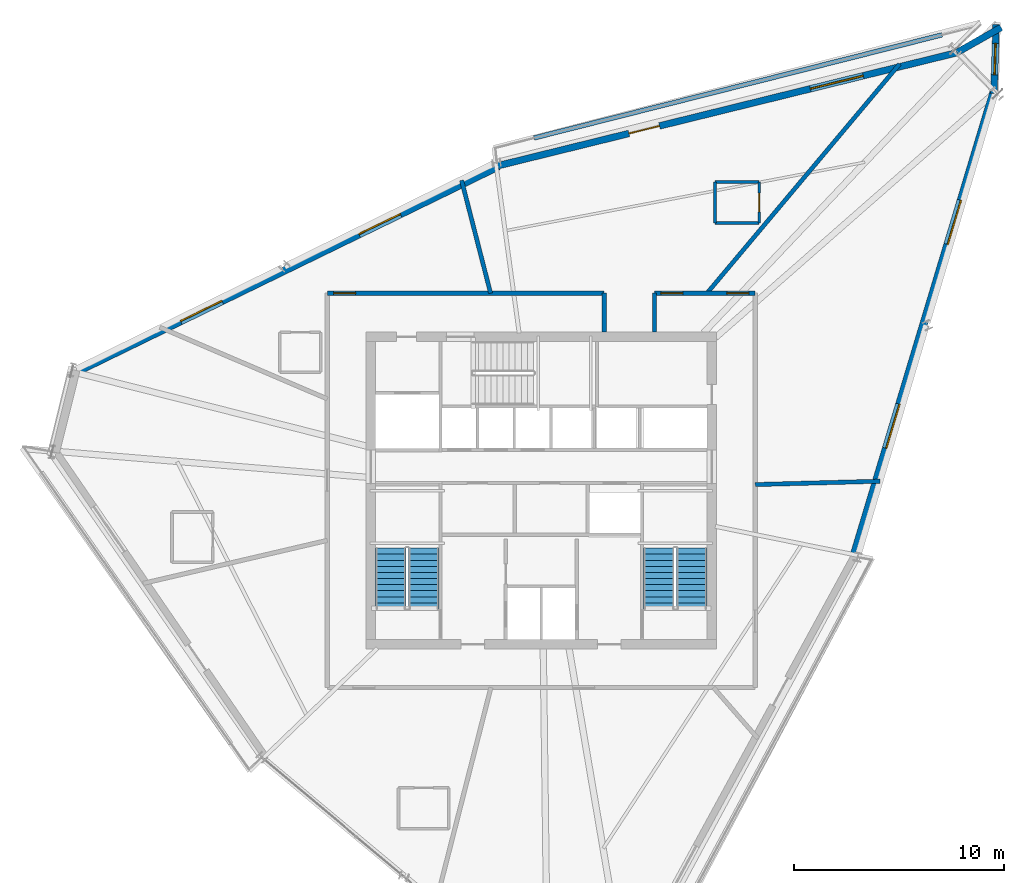
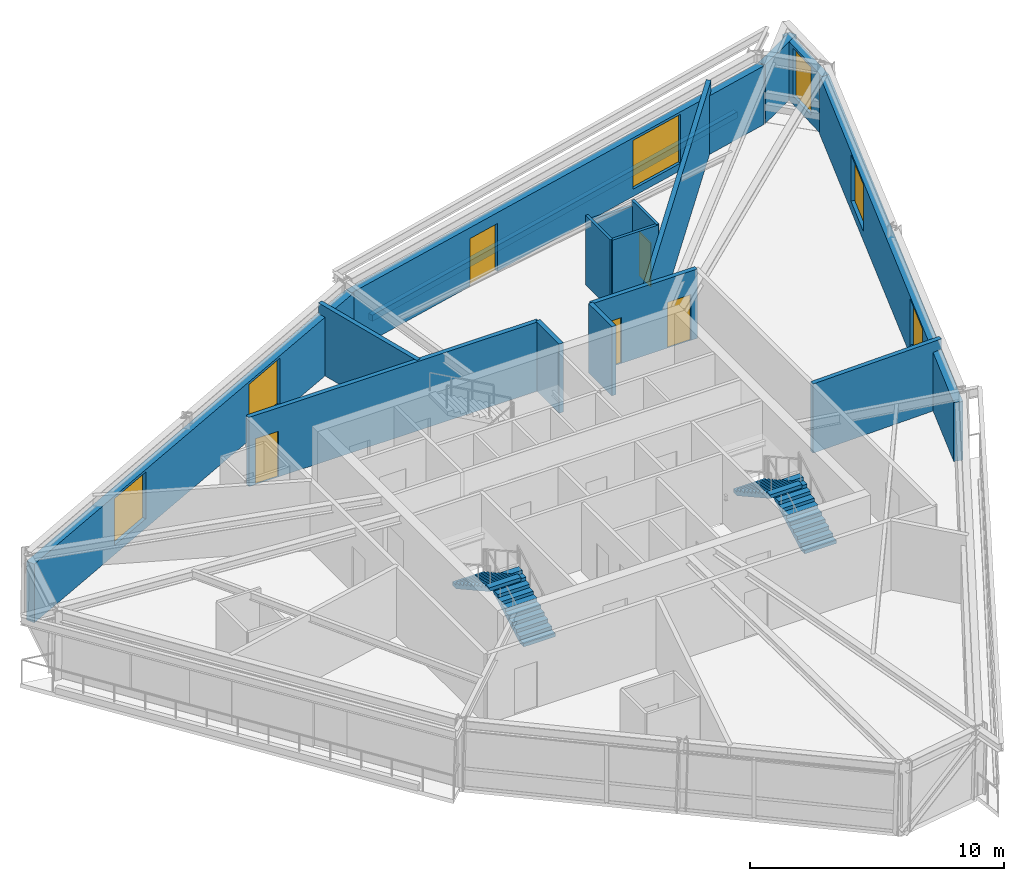
# One storey, part 10 of 14: 17 walls, 6 windows, 5 doors, 4 stair flights, 11 openings, 2 elements without a shape of their own.
"""IFC4 building model written with IfcOpenShell, lengths in metres."""

from ifc_helpers import new_model, si_unit, direction, frame, frame_2d, origin, place, context, subcontext, project, spatial, polyline, rectangle, outline, extrude, source, transform, mapped, material, layer, layer_set, type_object, type_shapes, element, fill, aggregate, save


model = new_model("IFC4")

# Units and contexts
model_context = context("Model", 3, precision=1e-05, world=origin(), true_north=direction((0.0, 1.0)))
body_context = subcontext(model_context, "Body", "Model", "MODEL_VIEW")
ifc_project = project(units=[si_unit("LENGTHUNIT", "METRE"), si_unit("AREAUNIT", "SQUARE_METRE"), si_unit("VOLUMEUNIT", "CUBIC_METRE"), si_unit("PLANEANGLEUNIT", "RADIAN"), si_unit("MASSUNIT", "GRAM", prefix="KILO")], contexts=[model_context])

# Site, building, storey
site_placement = place(None, origin())
site = spatial("IfcSite", under=ifc_project, at=site_placement, CompositionType="ELEMENT")
building_placement = place(site_placement, origin())
building = spatial("IfcBuilding", under=site, at=building_placement, Name="Olszyna Solenne Hotel", CompositionType="ELEMENT")
storey_placement = place(building_placement, frame((0.0, 0.0, 216.699951171875)))
storey = spatial("IfcBuildingStorey", under=building, at=storey_placement, Name="L57", CompositionType="ELEMENT", Elevation=216.699951171875)

# Wall, openings, door, window
ifc_material_1 = material(Name="Precast concrete C45/55", Category="concrete")
ifc_layer_1 = layer(ifc_material_1, 0.320068359375, Name="Precast concrete C45/55")
ifc_layer_set_1 = layer_set([ifc_layer_1], Name="Precast concrete C45/55")
wall_type_1 = type_object("IfcWallType", Name="WL-EX320", PredefinedType="SOLIDWALL", material=ifc_layer_set_1)
wall_1_placement = place(storey_placement, frame((35.913330078125, 42.0703125, 0.0), z_axis=(0.0, 0.0, 1.0), x_axis=(0.97098567351, 0.239137662942, 0.0)))
wall_1 = element("IfcWall", 1, at=wall_1_placement, inside=storey, type_object=wall_type_1, Name="Exterior terracotta-precast frame wall WL-EX320 EW-L57-07", PredefinedType="SOLIDWALL", context=body_context, shape_type="SweptSolid", body=[
    extrude(rectangle(XDim=22.51123046875, YDim=0.320068359375, at=frame_2d((11.255615234375, 0.0))), origin(), (0.0, 0.0, 1.0), 2.822021484375),
])
opening_1_placement = place(wall_1_placement, frame((6.4541015625, 0.0, 0.0)))
opening_1 = element("IfcOpeningElement", 2, at=opening_1_placement, cuts=wall_1, Name="Opening LDG-L57-1", PredefinedType="OPENING", context=body_context, shape_type="SweptSolid", body=[
    extrude(rectangle(XDim=1.5, YDim=2.300048828125, at=frame_2d((0.75, 1.14990234375))), frame((0.0, 0.169921875, 0.0), z_axis=(0.0, -1.0, 0.0), x_axis=(1.0, 0.0, 0.0)), (0.0, 0.0, 1.0), 0.340087890625),
])
opening_2_placement = place(wall_1_placement, frame((15.35791015625, 0.0, 0.35205078125)))
opening_2 = element("IfcOpeningElement", 3, at=opening_2_placement, cuts=wall_1, Name="Opening WN-L57-369", PredefinedType="OPENING", context=body_context, shape_type="SweptSolid", body=[
    extrude(rectangle(XDim=2.60009765625, YDim=2.35009765625, at=frame_2d((1.300048828125, 1.175048828125))), frame((0.0, 0.169921875, 0.0), z_axis=(0.0, -1.0, 0.0), x_axis=(1.0, 0.0, 0.0)), (0.0, 0.0, 1.0), 0.340087890625),
])
ifc_material_2 = material(Name="Anodised bronze aluminium", Category="aluminium")
door_type_1 = type_object("IfcDoorType", Name="DR-LG2", OperationType="DOUBLE_DOOR_SINGLE_SWING", PredefinedType="DOOR", material=ifc_material_2)
shared_shape_1 = source(origin(), body_context, "Body", "SweptSolid", [
    extrude(rectangle(XDim=1.5, YDim=2.300048828125, at=frame_2d((0.75, 1.14990234375))), frame((0.0, 0.02490234375, 0.0), z_axis=(0.0, -1.0, 0.0), x_axis=(1.0, 0.0, 0.0)), (0.0, 0.0, 1.0), 0.050048828125),
])
type_shapes(door_type_1, [shared_shape_1])
door_1_placement = place(opening_1_placement, origin())
door_1 = element("IfcDoor", 4, at=door_1_placement, inside=storey, type_object=door_type_1, Name="Exterior loggia balcony door DR-LG2 LDG-L57-1", OperationType="DOUBLE_DOOR_SINGLE_SWING", OverallHeight=2.300048828125, OverallWidth=1.5, PredefinedType="DOOR", context=body_context, shape_type="MappedRepresentation", body=[
    mapped(shared_shape_1, transform((0.0, 0.0, 0.0), x_axis=(1.0, 0.0, 0.0), y_axis=(0.0, 1.0, 0.0), z_axis=(0.0, 0.0, 1.0), scale=1.0)),
])
fill(opening_1, door_1)
ifc_material_3 = material(Name="Low-E triple glazing", Category="glass")
window_type_1 = type_object("IfcWindowType", Name="WN-ST1", PartitioningType="SINGLE_PANEL", PredefinedType="WINDOW", material=ifc_material_3)
shared_shape_2 = source(origin(), body_context, "Body", "SweptSolid", [
    extrude(rectangle(XDim=2.60009765625, YDim=2.35009765625, at=frame_2d((1.300048828125, 1.175048828125))), frame((0.0, 0.030029296875, 0.0), z_axis=(0.0, -1.0, 0.0), x_axis=(1.0, 0.0, 0.0)), (0.0, 0.0, 1.0), 0.06005859375),
])
type_shapes(window_type_1, [shared_shape_2])
window_1_placement = place(opening_2_placement, origin())
window_1 = element("IfcWindow", 5, at=window_1_placement, inside=storey, type_object=window_type_1, Name="Loggia room window WN-ST1 WN-L57-369", OverallHeight=2.35009765625, OverallWidth=2.60009765625, PartitioningType="SINGLE_PANEL", PredefinedType="WINDOW", context=body_context, shape_type="MappedRepresentation", body=[
    mapped(shared_shape_2, transform((0.0, 0.0, 0.0), x_axis=(1.0, 0.0, 0.0), y_axis=(0.0, 1.0, 0.0), z_axis=(0.0, 0.0, 1.0), scale=1.0)),
])
fill(opening_2, window_1)

# Wall
wall_2_placement = place(storey_placement, frame((57.81201171875, 47.4697265625, 0.0), z_axis=(0.0, 0.0, 1.0), x_axis=(0.869844893245, 0.493325310211, 0.0)))
element("IfcWall", 6, at=wall_2_placement, inside=storey, type_object=wall_type_1, Name="Exterior terracotta-precast frame wall WL-EX320 EW-L57-08", PredefinedType="SOLIDWALL", context=body_context, shape_type="SweptSolid", body=[
    extrude(rectangle(XDim=2.42236328125, YDim=0.320068359375, at=frame_2d((1.211181640625, 0.0))), origin(), (0.0, 0.0, 1.0), 2.822021484375),
])

# Wall, opening, window
wall_3_placement = place(storey_placement, frame((59.680419921875, 48.808837890625, 0.0), z_axis=(0.0, 0.0, 1.0), x_axis=(-0.030830813336, -0.99952461748, 0.0)))
wall_3 = element("IfcWall", 7, at=wall_3_placement, inside=storey, type_object=wall_type_1, Name="Exterior terracotta-precast frame wall WL-EX320 EW-L57-09", PredefinedType="SOLIDWALL", context=body_context, shape_type="SweptSolid", body=[
    extrude(rectangle(XDim=3.302001953125, YDim=0.320068359375, at=frame_2d((1.65087890625, 0.0))), origin(), (0.0, 0.0, 1.0), 2.822021484375),
])
opening_3_placement = place(wall_3_placement, frame((0.90087890625, 0.0, 0.402099609375)))
opening_3 = element("IfcOpeningElement", 8, at=opening_3_placement, cuts=wall_3, Name="Opening WN-L57-370", PredefinedType="OPENING", context=body_context, shape_type="SweptSolid", body=[
    extrude(rectangle(XDim=1.5, YDim=2.300048828125, at=frame_2d((0.75, 1.14990234375))), frame((0.0, 0.169921875, 0.0), z_axis=(0.0, -1.0, 0.0), x_axis=(1.0, 0.0, 0.0)), (0.0, 0.0, 1.0), 0.340087890625),
])
window_type_2 = type_object("IfcWindowType", Name="WN-CH1", PartitioningType="SINGLE_PANEL", PredefinedType="WINDOW", material=ifc_material_3)
shared_shape_3 = source(origin(), body_context, "Body", "SweptSolid", [
    extrude(rectangle(XDim=1.5, YDim=2.300048828125, at=frame_2d((0.75, 1.14990234375))), frame((0.0, 0.030029296875, 0.0), z_axis=(0.0, -1.0, 0.0), x_axis=(1.0, 0.0, 0.0)), (0.0, 0.0, 1.0), 0.06005859375),
])
type_shapes(window_type_2, [shared_shape_3])
window_2_placement = place(opening_3_placement, origin())
window_2 = element("IfcWindow", 9, at=window_2_placement, inside=storey, type_object=window_type_2, Name="Exterior facade window WN-CH1 WN-L57-370", OverallHeight=2.300048828125, OverallWidth=1.5, PartitioningType="SINGLE_PANEL", PredefinedType="WINDOW", context=body_context, shape_type="MappedRepresentation", body=[
    mapped(shared_shape_3, transform((0.0, 0.0, 0.0), x_axis=(1.0, 0.0, 0.0), y_axis=(0.0, 1.0, 0.0), z_axis=(0.0, 0.0, 1.0), scale=1.0)),
])
fill(opening_3, window_2)

# Wall, openings, windows
ifc_material_4 = material(Name="Terracotta cladding on precast concrete C45/55", Category="masonry")
ifc_layer_2 = layer(ifc_material_4, 0.3798828125, Name="Terracotta cladding on precast concrete C45/55")
ifc_layer_set_2 = layer_set([ifc_layer_2], Name="Terracotta cladding on precast concrete C45/55")
wall_type_2 = type_object("IfcWallType", Name="WL-EX380", PredefinedType="SOLIDWALL", material=ifc_layer_set_2)
wall_4_placement = place(storey_placement, frame((15.720458984375, 32.19677734375, 0.0), z_axis=(0.0, 0.0, 1.0), x_axis=(0.899012313214, 0.437923350246, 0.0)))
wall_4 = element("IfcWall", 10, at=wall_4_placement, inside=storey, type_object=wall_type_2, Name="Exterior terracotta-precast frame wall WL-EX380 EW-L57-06", PredefinedType="SOLIDWALL", context=body_context, shape_type="SweptSolid", body=[
    extrude(rectangle(XDim=22.51123046875, YDim=0.3798828125, at=frame_2d((11.255615234375, 0.0))), origin(), (0.0, 0.0, 1.0), 2.822021484375),
])
opening_4_placement = place(wall_4_placement, frame((5.653076171875, 0.0, 0.451904296875)))
opening_4 = element("IfcOpeningElement", 11, at=opening_4_placement, cuts=wall_4, Name="Opening WN-L57-367", PredefinedType="OPENING", context=body_context, shape_type="SweptSolid", body=[
    extrude(rectangle(XDim=2.199951171875, YDim=2.25, at=frame_2d((1.10009765625, 1.125))), frame((0.0, 0.199951171875, 0.0), z_axis=(0.0, -1.0, 0.0), x_axis=(1.0, 0.0, 0.0)), (0.0, 0.0, 1.0), 0.39990234375),
])
opening_5_placement = place(wall_4_placement, frame((15.10791015625, 0.0, 0.451904296875)))
opening_5 = element("IfcOpeningElement", 12, at=opening_5_placement, cuts=wall_4, Name="Opening WN-L57-368", PredefinedType="OPENING", context=body_context, shape_type="SweptSolid", body=[
    extrude(rectangle(XDim=2.199951171875, YDim=2.25, at=frame_2d((1.10009765625, 1.125))), frame((0.0, 0.199951171875, 0.0), z_axis=(0.0, -1.0, 0.0), x_axis=(1.0, 0.0, 0.0)), (0.0, 0.0, 1.0), 0.39990234375),
])
window_type_3 = type_object("IfcWindowType", Name="WN-HT2", PartitioningType="SINGLE_PANEL", PredefinedType="WINDOW", material=ifc_material_3)
shared_shape_4 = source(origin(), body_context, "Body", "SweptSolid", [
    extrude(rectangle(XDim=2.199951171875, YDim=2.25, at=frame_2d((1.10009765625, 1.125))), frame((0.0, 0.030029296875, 0.0), z_axis=(0.0, -1.0, 0.0), x_axis=(1.0, 0.0, 0.0)), (0.0, 0.0, 1.0), 0.06005859375),
])
type_shapes(window_type_3, [shared_shape_4])
window_3_placement = place(opening_4_placement, origin())
window_3 = element("IfcWindow", 13, at=window_3_placement, inside=storey, type_object=window_type_3, Name="Exterior facade window WN-HT2 WN-L57-367", OverallHeight=2.25, OverallWidth=2.199951171875, PartitioningType="SINGLE_PANEL", PredefinedType="WINDOW", context=body_context, shape_type="MappedRepresentation", body=[
    mapped(shared_shape_4, transform((0.0, 0.0, 0.0), x_axis=(1.0, 0.0, 0.0), y_axis=(0.0, 1.0, 0.0), z_axis=(0.0, 0.0, 1.0), scale=1.0)),
])
fill(opening_4, window_3)
window_4_placement = place(opening_5_placement, origin())
window_4 = element("IfcWindow", 14, at=window_4_placement, inside=storey, type_object=window_type_3, Name="Exterior facade window WN-HT2 WN-L57-368", OverallHeight=2.25, OverallWidth=2.199951171875, PartitioningType="SINGLE_PANEL", PredefinedType="WINDOW", context=body_context, shape_type="MappedRepresentation", body=[
    mapped(shared_shape_4, transform((0.0, 0.0, 0.0), x_axis=(1.0, 0.0, 0.0), y_axis=(0.0, 1.0, 0.0), z_axis=(0.0, 0.0, 1.0), scale=1.0)),
])
fill(opening_5, window_4)

wall_5_placement = place(storey_placement, frame((59.556396484375, 45.55810546875, 0.0), z_axis=(0.0, 0.0, 1.0), x_axis=(-0.288699918193, -0.95741963487, 0.0)))
wall_5 = element("IfcWall", 15, at=wall_5_placement, inside=storey, type_object=wall_type_2, Name="Exterior terracotta-precast frame wall WL-EX380 EW-L57-10", PredefinedType="SOLIDWALL", context=body_context, shape_type="SweptSolid", body=[
    extrude(rectangle(XDim=23.072021484375, YDim=0.3798828125, at=frame_2d((11.5361328125, 0.0))), origin(), (0.0, 0.0, 1.0), 2.822021484375),
])
opening_6_placement = place(wall_5_placement, frame((5.360107421875, 0.0, 0.451904296875)))
opening_6 = element("IfcOpeningElement", 16, at=opening_6_placement, cuts=wall_5, Name="Opening WN-L57-371", PredefinedType="OPENING", context=body_context, shape_type="SweptSolid", body=[
    extrude(rectangle(XDim=2.199951171875, YDim=2.25, at=frame_2d((1.10009765625, 1.125))), frame((0.0, 0.199951171875, 0.0), z_axis=(0.0, -1.0, 0.0), x_axis=(1.0, 0.0, 0.0)), (0.0, 0.0, 1.0), 0.39990234375),
])
opening_7_placement = place(wall_5_placement, frame((15.511962890625, 0.0, 0.451904296875)))
opening_7 = element("IfcOpeningElement", 17, at=opening_7_placement, cuts=wall_5, Name="Opening WN-L57-372", PredefinedType="OPENING", context=body_context, shape_type="SweptSolid", body=[
    extrude(rectangle(XDim=2.199951171875, YDim=2.25, at=frame_2d((1.10009765625, 1.125))), frame((0.0, 0.199951171875, 0.0), z_axis=(0.0, -1.0, 0.0), x_axis=(1.0, 0.0, 0.0)), (0.0, 0.0, 1.0), 0.39990234375),
])
window_5_placement = place(opening_6_placement, origin())
window_5 = element("IfcWindow", 18, at=window_5_placement, inside=storey, type_object=window_type_3, Name="Exterior facade window WN-HT2 WN-L57-371", OverallHeight=2.25, OverallWidth=2.199951171875, PartitioningType="SINGLE_PANEL", PredefinedType="WINDOW", context=body_context, shape_type="MappedRepresentation", body=[
    mapped(shared_shape_4, transform((0.0, 0.0, 0.0), x_axis=(1.0, 0.0, 0.0), y_axis=(0.0, 1.0, 0.0), z_axis=(0.0, 0.0, 1.0), scale=1.0)),
])
fill(opening_6, window_5)
window_6_placement = place(opening_7_placement, origin())
window_6 = element("IfcWindow", 19, at=window_6_placement, inside=storey, type_object=window_type_3, Name="Exterior facade window WN-HT2 WN-L57-372", OverallHeight=2.25, OverallWidth=2.199951171875, PartitioningType="SINGLE_PANEL", PredefinedType="WINDOW", context=body_context, shape_type="MappedRepresentation", body=[
    mapped(shared_shape_4, transform((0.0, 0.0, 0.0), x_axis=(1.0, 0.0, 0.0), y_axis=(0.0, 1.0, 0.0), z_axis=(0.0, 0.0, 1.0), scale=1.0)),
])
fill(opening_7, window_6)

# Wall
ifc_layer_3 = layer(ifc_material_1, 0.219970703125, Name="Precast concrete C45/55")
ifc_layer_set_3 = layer_set([ifc_layer_3], Name="Precast concrete C45/55")
wall_type_3 = type_object("IfcWallType", Name="WL-PR220", PredefinedType="PARAPET", material=ifc_layer_set_3)
wall_6_placement = place(storey_placement, frame((57.10107421875, 48.3134765625, 0.0), z_axis=(0.0, 0.0, 1.0), x_axis=(-0.969518467451, -0.245018246812, 0.0)))
element("IfcWall", 20, at=wall_6_placement, inside=storey, type_object=wall_type_3, Name="Loggia balcony precast kerb PR-L57-LG1", PredefinedType="PARAPET", context=body_context, shape_type="SweptSolid", body=[
    extrude(rectangle(XDim=20.054931640625, YDim=0.219970703125, at=frame_2d((10.02734375, 0.0))), origin(), (0.0, 0.0, 1.0), 0.300048828125),
])

# Wall, opening, door
ifc_material_5 = material(Name="Acoustic gypsum partition", Category="gypsum")
ifc_layer_4 = layer(ifc_material_5, 0.125, Name="Acoustic gypsum partition")
ifc_layer_set_4 = layer_set([ifc_layer_4], Name="Acoustic gypsum partition")
wall_type_4 = type_object("IfcWallType", Name="WL-PT125", PredefinedType="PARTITIONING", material=ifc_layer_set_4)
wall_7_placement = place(storey_placement, frame((48.384033203125, 39.347900390625, 0.0), z_axis=(0.0, 0.0, 1.0), x_axis=(0.0, 1.0, 0.0)))
wall_7 = element("IfcWall", 21, at=wall_7_placement, inside=storey, type_object=wall_type_4, Name="Interior acoustic partition WL-PT125 PW-L57-3179", PredefinedType="PARTITIONING", context=body_context, shape_type="SweptSolid", body=[
    extrude(rectangle(XDim=1.9501953125, YDim=0.125, at=frame_2d((0.97509765625, 0.0))), origin(), (0.0, 0.0, 1.0), 3.330078125),
])
opening_8_placement = place(wall_7_placement, frame((0.52490234375, 0.0, 0.0)))
opening_8 = element("IfcOpeningElement", 22, at=opening_8_placement, cuts=wall_7, Name="Opening DR-L57-0770", PredefinedType="OPENING", context=body_context, shape_type="SweptSolid", body=[
    extrude(rectangle(XDim=0.89990234375, YDim=2.10009765625, at=frame_2d((0.449951171875, 1.050048828125))), frame((0.0, 0.072509765625, 0.0), z_axis=(0.0, -1.0, 0.0), x_axis=(1.0, 0.0, 0.0)), (0.0, 0.0, 1.0), 0.14501953125),
])
ifc_material_6 = material(Name="Timber hardwood", Category="wood")
door_type_2 = type_object("IfcDoorType", Name="DR-WC1", OperationType="NOTDEFINED", PredefinedType="DOOR", material=ifc_material_6)
shared_shape_5 = source(origin(), body_context, "Body", "SweptSolid", [
    extrude(rectangle(XDim=0.89990234375, YDim=2.10009765625, at=frame_2d((0.449951171875, 1.050048828125))), frame((0.0, 0.02490234375, 0.0), z_axis=(0.0, -1.0, 0.0), x_axis=(1.0, 0.0, 0.0)), (0.0, 0.0, 1.0), 0.050048828125),
])
type_shapes(door_type_2, [shared_shape_5])
door_2_placement = place(opening_8_placement, origin())
door_2 = element("IfcDoor", 23, at=door_2_placement, inside=storey, type_object=door_type_2, Name="En-Suite Bathroom Door DR-L57-0770", OperationType="SINGLE_SWING_LEFT", OverallHeight=2.10009765625, OverallWidth=0.89990234375, PredefinedType="DOOR", context=body_context, shape_type="MappedRepresentation", body=[
    mapped(shared_shape_5, transform((0.0, 0.0, 0.0), x_axis=(1.0, 0.0, 0.0), y_axis=(0.0, 1.0, 0.0), z_axis=(0.0, 0.0, 1.0), scale=1.0)),
])
fill(opening_8, door_2)

# Walls
wall_8_placement = place(storey_placement, frame((48.384033203125, 41.298095703125, 0.0), z_axis=(0.0, 0.0, 1.0), x_axis=(-1.0, 0.0, 0.0)))
element("IfcWall", 24, at=wall_8_placement, inside=storey, type_object=wall_type_4, Name="Interior acoustic partition WL-PT125 PW-L57-3180", PredefinedType="PARTITIONING", context=body_context, shape_type="SweptSolid", body=[
    extrude(rectangle(XDim=2.10009765625, YDim=0.125, at=frame_2d((1.050048828125, 0.0))), origin(), (0.0, 0.0, 1.0), 3.074951171875),
])
wall_9_placement = place(storey_placement, frame((46.283935546875, 41.298095703125, 0.0), z_axis=(0.0, 0.0, 1.0), x_axis=(0.0, -1.0, 0.0)))
element("IfcWall", 25, at=wall_9_placement, inside=storey, type_object=wall_type_4, Name="Interior acoustic partition WL-PT125 PW-L57-3181", PredefinedType="PARTITIONING", context=body_context, shape_type="SweptSolid", body=[
    extrude(rectangle(XDim=1.9501953125, YDim=0.125, at=frame_2d((0.97509765625, 0.0))), origin(), (0.0, 0.0, 1.0), 3.330078125),
])
wall_10_placement = place(storey_placement, frame((46.283935546875, 39.347900390625, 0.0), z_axis=(0.0, 0.0, 1.0), x_axis=(1.0, 0.0, 0.0)))
element("IfcWall", 26, at=wall_10_placement, inside=storey, type_object=wall_type_4, Name="Interior acoustic partition WL-PT125 PW-L57-3182", PredefinedType="PARTITIONING", context=body_context, shape_type="SweptSolid", body=[
    extrude(rectangle(XDim=2.10009765625, YDim=0.125, at=frame_2d((1.050048828125, 0.0))), origin(), (0.0, 0.0, 1.0), 3.330078125),
])
ifc_layer_5 = layer(ifc_material_5, 0.199951171875, Name="Acoustic gypsum partition")
ifc_layer_set_5 = layer_set([ifc_layer_5], Name="Acoustic gypsum partition")
wall_type_5 = type_object("IfcWallType", Name="WL-PT200", PredefinedType="PARTITIONING", material=ifc_layer_set_5)
wall_11_placement = place(storey_placement, frame((48.199951171875, 26.876708984375, 0.0), z_axis=(0.0, 0.0, 1.0), x_axis=(0.999633258154, 0.027080420831, 0.0)))
element("IfcWall", 27, at=wall_11_placement, inside=storey, type_object=wall_type_5, Name="Interior acoustic partition WL-PT200 PW-L57-3171", PredefinedType="PARTITIONING", context=body_context, shape_type="SweptSolid", body=[
    extrude(rectangle(XDim=5.941162109375, YDim=0.199951171875, at=frame_2d((2.970703125, 0.0))), origin(), (0.0, 0.0, 1.0), 3.330078125),
])
wall_12_placement = place(storey_placement, frame((45.899658203125, 36.0, 0.0), z_axis=(0.0, 0.0, 1.0), x_axis=(0.64336940984, 0.765555878092, 0.0)))
element("IfcWall", 28, at=wall_12_placement, inside=storey, type_object=wall_type_5, Name="Interior acoustic partition WL-PT200 PW-L57-3172", PredefinedType="PARTITIONING", context=body_context, shape_type="SweptSolid", body=[
    extrude(rectangle(XDim=14.2705078125, YDim=0.199951171875, at=frame_2d((7.13525390625, 0.0))), origin(), (0.0, 0.0, 1.0), 3.330078125),
])
wall_13_placement = place(storey_placement, frame((35.584716796875, 36.0, 0.0), z_axis=(0.0, 0.0, 1.0), x_axis=(-0.248872527689, 0.968536248657, 0.0)))
element("IfcWall", 29, at=wall_13_placement, inside=storey, type_object=wall_type_5, Name="Interior acoustic partition WL-PT200 PW-L57-3173", PredefinedType="PARTITIONING", context=body_context, shape_type="SweptSolid", body=[
    extrude(rectangle(XDim=5.552490234375, YDim=0.199951171875, at=frame_2d((2.7763671875, 0.0))), origin(), (0.0, 0.0, 1.0), 3.330078125),
])

# Wall, opening, door
wall_14_placement = place(storey_placement, frame((27.800048828125, 36.0, 0.0), z_axis=(0.0, 0.0, 1.0), x_axis=(1.0, 0.0, 0.0)))
wall_14 = element("IfcWall", 30, at=wall_14_placement, inside=storey, type_object=wall_type_5, Name="Interior acoustic partition WL-PT200 PW-L57-3193", PredefinedType="PARTITIONING", context=body_context, shape_type="SweptSolid", body=[
    extrude(rectangle(XDim=13.199951171875, YDim=0.199951171875, at=frame_2d((6.60009765625, 0.0))), origin(), (0.0, 0.0, 1.0), 3.330078125),
])
opening_9_placement = place(wall_14_placement, frame((0.300048828125, 0.0, 0.0)))
opening_9 = element("IfcOpeningElement", 31, at=opening_9_placement, cuts=wall_14, Name="Opening DR-L57-0776", PredefinedType="OPENING", context=body_context, shape_type="SweptSolid", body=[
    extrude(rectangle(XDim=1.050048828125, YDim=2.199951171875, at=frame_2d((0.52490234375, 1.10009765625))), frame((0.0, 0.10986328125, 0.0), z_axis=(0.0, -1.0, 0.0), x_axis=(1.0, 0.0, 0.0)), (0.0, 0.0, 1.0), 0.219970703125),
])
door_type_3 = type_object("IfcDoorType", Name="DR-RM2", OperationType="NOTDEFINED", PredefinedType="DOOR", material=ifc_material_6)
shared_shape_6 = source(origin(), body_context, "Body", "SweptSolid", [
    extrude(rectangle(XDim=1.050048828125, YDim=2.199951171875, at=frame_2d((0.52490234375, 1.10009765625))), frame((0.0, 0.02490234375, 0.0), z_axis=(0.0, -1.0, 0.0), x_axis=(1.0, 0.0, 0.0)), (0.0, 0.0, 1.0), 0.050048828125),
])
type_shapes(door_type_3, [shared_shape_6])
door_3_placement = place(opening_9_placement, origin())
door_3 = element("IfcDoor", 32, at=door_3_placement, inside=storey, type_object=door_type_3, Name="Deluxe Hotel Guestroom Entrance Door DR-L57-0776", OperationType="SINGLE_SWING_RIGHT", OverallHeight=2.199951171875, OverallWidth=1.050048828125, PredefinedType="DOOR", context=body_context, shape_type="MappedRepresentation", body=[
    mapped(shared_shape_6, transform((0.0, 0.0, 0.0), x_axis=(1.0, 0.0, 0.0), y_axis=(0.0, 1.0, 0.0), z_axis=(0.0, 0.0, 1.0), scale=1.0)),
])
fill(opening_9, door_3)

# Wall
wall_15_placement = place(storey_placement, frame((41.0, 34.14990234375, 0.0), z_axis=(0.0, 0.0, 1.0), x_axis=(0.0, 1.0, 0.0)))
element("IfcWall", 33, at=wall_15_placement, inside=storey, type_object=wall_type_5, Name="Interior acoustic partition WL-PT200 PW-L57-3194", PredefinedType="PARTITIONING", context=body_context, shape_type="SweptSolid", body=[
    extrude(rectangle(XDim=1.85009765625, YDim=0.199951171875, at=frame_2d((0.925048828125, 0.0))), origin(), (0.0, 0.0, 1.0), 3.330078125),
])

# Wall, openings, doors
wall_16_placement = place(storey_placement, frame((43.39990234375, 36.0, 0.0), z_axis=(0.0, 0.0, 1.0), x_axis=(1.0, 0.0, 0.0)))
wall_16 = element("IfcWall", 34, at=wall_16_placement, inside=storey, type_object=wall_type_5, Name="Interior acoustic partition WL-PT200 PW-L57-3195", PredefinedType="PARTITIONING", context=body_context, shape_type="SweptSolid", body=[
    extrude(rectangle(XDim=4.800048828125, YDim=0.199951171875, at=frame_2d((2.39990234375, 0.0))), origin(), (0.0, 0.0, 1.0), 3.330078125),
])
opening_10_placement = place(wall_16_placement, frame((3.449951171875, 0.0, 0.0)))
opening_10 = element("IfcOpeningElement", 35, at=opening_10_placement, cuts=wall_16, Name="Opening DR-L57-0777", PredefinedType="OPENING", context=body_context, shape_type="SweptSolid", body=[
    extrude(rectangle(XDim=1.050048828125, YDim=2.199951171875, at=frame_2d((0.52490234375, 1.10009765625))), frame((0.0, 0.10986328125, 0.0), z_axis=(0.0, -1.0, 0.0), x_axis=(1.0, 0.0, 0.0)), (0.0, 0.0, 1.0), 0.219970703125),
])
opening_11_placement = place(wall_16_placement, frame((0.300048828125, 0.0, 0.0)))
opening_11 = element("IfcOpeningElement", 36, at=opening_11_placement, cuts=wall_16, Name="Opening DR-L57-0778", PredefinedType="OPENING", context=body_context, shape_type="SweptSolid", body=[
    extrude(rectangle(XDim=1.050048828125, YDim=2.199951171875, at=frame_2d((0.52490234375, 1.10009765625))), frame((0.0, 0.10986328125, 0.0), z_axis=(0.0, -1.0, 0.0), x_axis=(1.0, 0.0, 0.0)), (0.0, 0.0, 1.0), 0.219970703125),
])
door_4_placement = place(opening_10_placement, origin())
door_4 = element("IfcDoor", 37, at=door_4_placement, inside=storey, type_object=door_type_3, Name="Wellness Spa Studio Entrance Door DR-L57-0777", OperationType="SINGLE_SWING_RIGHT", OverallHeight=2.199951171875, OverallWidth=1.050048828125, PredefinedType="DOOR", context=body_context, shape_type="MappedRepresentation", body=[
    mapped(shared_shape_6, transform((0.0, 0.0, 0.0), x_axis=(1.0, 0.0, 0.0), y_axis=(0.0, 1.0, 0.0), z_axis=(0.0, 0.0, 1.0), scale=1.0)),
])
fill(opening_10, door_4)
door_5_placement = place(opening_11_placement, origin())
door_5 = element("IfcDoor", 38, at=door_5_placement, inside=storey, type_object=door_type_3, Name="Deluxe Hotel Guestroom Entrance Door DR-L57-0778", OperationType="SINGLE_SWING_LEFT", OverallHeight=2.199951171875, OverallWidth=1.050048828125, PredefinedType="DOOR", context=body_context, shape_type="MappedRepresentation", body=[
    mapped(shared_shape_6, transform((0.0, 0.0, 0.0), x_axis=(1.0, 0.0, 0.0), y_axis=(0.0, 1.0, 0.0), z_axis=(0.0, 0.0, 1.0), scale=1.0)),
])
fill(opening_11, door_5)

# Wall
wall_17_placement = place(storey_placement, frame((43.39990234375, 34.14990234375, 0.0), z_axis=(0.0, 0.0, 1.0), x_axis=(0.0, 1.0, 0.0)))
element("IfcWall", 39, at=wall_17_placement, inside=storey, type_object=wall_type_5, Name="Interior acoustic partition WL-PT200 PW-L57-3196", PredefinedType="PARTITIONING", context=body_context, shape_type="SweptSolid", body=[
    extrude(rectangle(XDim=1.85009765625, YDim=0.199951171875, at=frame_2d((0.925048828125, 0.0))), origin(), (0.0, 0.0, 1.0), 3.330078125),
])

# Stair, stair flights
ifc_material_7 = material(Name="Concrete C40/50", Category="concrete")
stair_type = type_object("IfcStairType", Name="STR-C1", PredefinedType="TWO_QUARTER_WINDING_STAIR", material=ifc_material_7)
stair_1_placement = place(storey_placement, origin())
stair_1 = element("IfcStair", 40, at=stair_1_placement, inside=storey, type_object=stair_type, Name="L57 ST1", PredefinedType="TWO_QUARTER_WINDING_STAIR")
stair_flight_type = type_object("IfcStairFlightType", Name="FLT-C1", PredefinedType="STRAIGHT", material=ifc_material_7)
stair_flight_1_placement = place(storey_placement, frame((32.39501953125, 20.949951171875, 0.0), z_axis=(0.0, 0.0, 1.0), x_axis=(0.0, 1.0, 0.0)))
stair_flight_1 = element("IfcStairFlight", 41, at=stair_flight_1_placement, type_object=stair_flight_type, Name="ST1 flight 1", NumberOfRisers=11, NumberOfTreads=10, PredefinedType="STRAIGHT", RiserHeight=0.161363636, TreadLength=0.29, context=body_context, shape_type="SweptSolid", body=[
    extrude(outline(polyline([(0.0, 0.0), (0.0, 0.161376953125), (0.2900390625, 0.161376953125), (0.2900390625, 0.32275390625), (0.580078125, 0.32275390625), (0.580078125, 0.484130859375), (0.8701171875, 0.484130859375), (0.8701171875, 0.6455078125), (1.159912109375, 0.6455078125), (1.159912109375, 0.806884765625), (1.449951171875, 0.806884765625), (1.449951171875, 0.96826171875), (1.739990234375, 0.96826171875), (1.739990234375, 1.129638671875), (2.030029296875, 1.129638671875), (2.030029296875, 1.291015625), (2.320068359375, 1.291015625), (2.320068359375, 1.452392578125), (2.610107421875, 1.452392578125), (2.610107421875, 1.613525390625), (2.89990234375, 1.613525390625), (2.89990234375, 1.77490234375), (2.89990234375, 1.442138671875), (0.308349609375, 0.0), (0.0, 0.0)])), frame((0.0, 0.72509765625, 0.0), z_axis=(0.0, -1.0, 0.0), x_axis=(1.0, 0.0, 0.0)), (0.0, 0.0, 1.0), 1.449951171875),
])
stair_flight_2_placement = place(storey_placement, frame((30.824951171875, 23.85009765625, 1.775146484375), z_axis=(0.0, 0.0, 1.0), x_axis=(0.0, -1.0, 0.0)))
stair_flight_2 = element("IfcStairFlight", 42, at=stair_flight_2_placement, type_object=stair_flight_type, Name="ST1 flight 2", NumberOfRisers=11, NumberOfTreads=10, PredefinedType="STRAIGHT", RiserHeight=0.161363636, TreadLength=0.29, context=body_context, shape_type="SweptSolid", body=[
    extrude(outline(polyline([(0.0, 0.0), (0.0, 0.161376953125), (0.2900390625, 0.161376953125), (0.2900390625, 0.32275390625), (0.580078125, 0.32275390625), (0.580078125, 0.484130859375), (0.8701171875, 0.484130859375), (0.8701171875, 0.6455078125), (1.159912109375, 0.6455078125), (1.159912109375, 0.806884765625), (1.449951171875, 0.806884765625), (1.449951171875, 0.96826171875), (1.739990234375, 0.96826171875), (1.739990234375, 1.129638671875), (2.030029296875, 1.129638671875), (2.030029296875, 1.291015625), (2.320068359375, 1.291015625), (2.320068359375, 1.452392578125), (2.610107421875, 1.452392578125), (2.610107421875, 1.613525390625), (2.89990234375, 1.613525390625), (2.89990234375, 1.77490234375), (2.89990234375, 1.442138671875), (0.308349609375, 0.0), (0.0, 0.0)])), frame((0.0, 0.72509765625, 0.0), z_axis=(0.0, -1.0, 0.0), x_axis=(1.0, 0.0, 0.0)), (0.0, 0.0, 1.0), 1.449951171875),
])
aggregate(stair_1, [stair_flight_1, stair_flight_2])

stair_2_placement = place(storey_placement, origin())
stair_2 = element("IfcStair", 43, at=stair_2_placement, inside=storey, type_object=stair_type, Name="L57 ST2", PredefinedType="TWO_QUARTER_WINDING_STAIR")
stair_flight_3_placement = place(storey_placement, frame((45.175048828125, 20.949951171875, 0.0), z_axis=(0.0, 0.0, 1.0), x_axis=(0.0, 1.0, 0.0)))
stair_flight_3 = element("IfcStairFlight", 44, at=stair_flight_3_placement, type_object=stair_flight_type, Name="ST2 flight 1", NumberOfRisers=11, NumberOfTreads=10, PredefinedType="STRAIGHT", RiserHeight=0.161363636, TreadLength=0.29, context=body_context, shape_type="SweptSolid", body=[
    extrude(outline(polyline([(0.0, 0.0), (0.0, 0.161376953125), (0.2900390625, 0.161376953125), (0.2900390625, 0.32275390625), (0.580078125, 0.32275390625), (0.580078125, 0.484130859375), (0.8701171875, 0.484130859375), (0.8701171875, 0.6455078125), (1.159912109375, 0.6455078125), (1.159912109375, 0.806884765625), (1.449951171875, 0.806884765625), (1.449951171875, 0.96826171875), (1.739990234375, 0.96826171875), (1.739990234375, 1.129638671875), (2.030029296875, 1.129638671875), (2.030029296875, 1.291015625), (2.320068359375, 1.291015625), (2.320068359375, 1.452392578125), (2.610107421875, 1.452392578125), (2.610107421875, 1.613525390625), (2.89990234375, 1.613525390625), (2.89990234375, 1.77490234375), (2.89990234375, 1.442138671875), (0.308349609375, 0.0), (0.0, 0.0)])), frame((0.0, 0.72509765625, 0.0), z_axis=(0.0, -1.0, 0.0), x_axis=(1.0, 0.0, 0.0)), (0.0, 0.0, 1.0), 1.449951171875),
])
stair_flight_4_placement = place(storey_placement, frame((43.60498046875, 23.85009765625, 1.775146484375), z_axis=(0.0, 0.0, 1.0), x_axis=(0.0, -1.0, 0.0)))
stair_flight_4 = element("IfcStairFlight", 45, at=stair_flight_4_placement, type_object=stair_flight_type, Name="ST2 flight 2", NumberOfRisers=11, NumberOfTreads=10, PredefinedType="STRAIGHT", RiserHeight=0.161363636, TreadLength=0.29, context=body_context, shape_type="SweptSolid", body=[
    extrude(outline(polyline([(0.0, 0.0), (0.0, 0.161376953125), (0.2900390625, 0.161376953125), (0.2900390625, 0.32275390625), (0.580078125, 0.32275390625), (0.580078125, 0.484130859375), (0.8701171875, 0.484130859375), (0.8701171875, 0.6455078125), (1.159912109375, 0.6455078125), (1.159912109375, 0.806884765625), (1.449951171875, 0.806884765625), (1.449951171875, 0.96826171875), (1.739990234375, 0.96826171875), (1.739990234375, 1.129638671875), (2.030029296875, 1.129638671875), (2.030029296875, 1.291015625), (2.320068359375, 1.291015625), (2.320068359375, 1.452392578125), (2.610107421875, 1.452392578125), (2.610107421875, 1.613525390625), (2.89990234375, 1.613525390625), (2.89990234375, 1.77490234375), (2.89990234375, 1.442138671875), (0.308349609375, 0.0), (0.0, 0.0)])), frame((0.0, 0.72509765625, 0.0), z_axis=(0.0, -1.0, 0.0), x_axis=(1.0, 0.0, 0.0)), (0.0, 0.0, 1.0), 1.449951171875),
])
aggregate(stair_2, [stair_flight_3, stair_flight_4])

save(model, "model.ifc")
